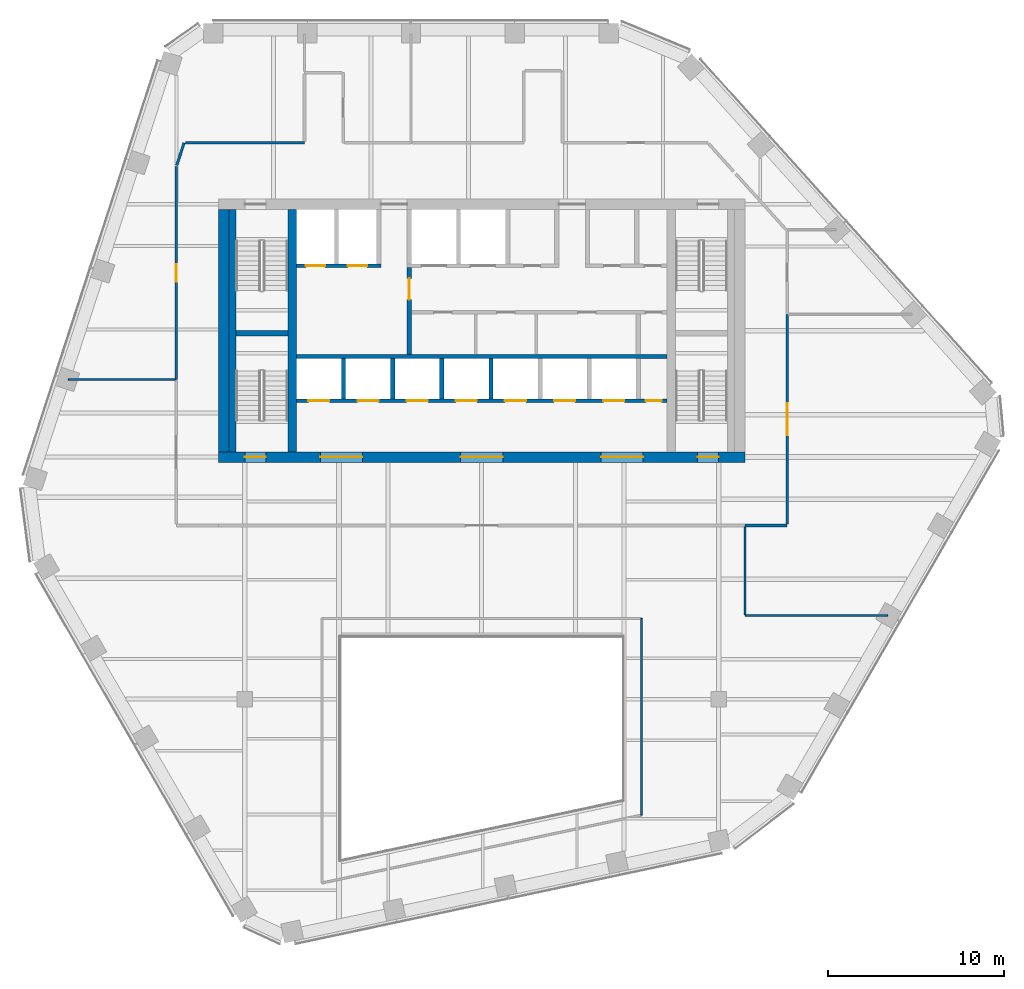
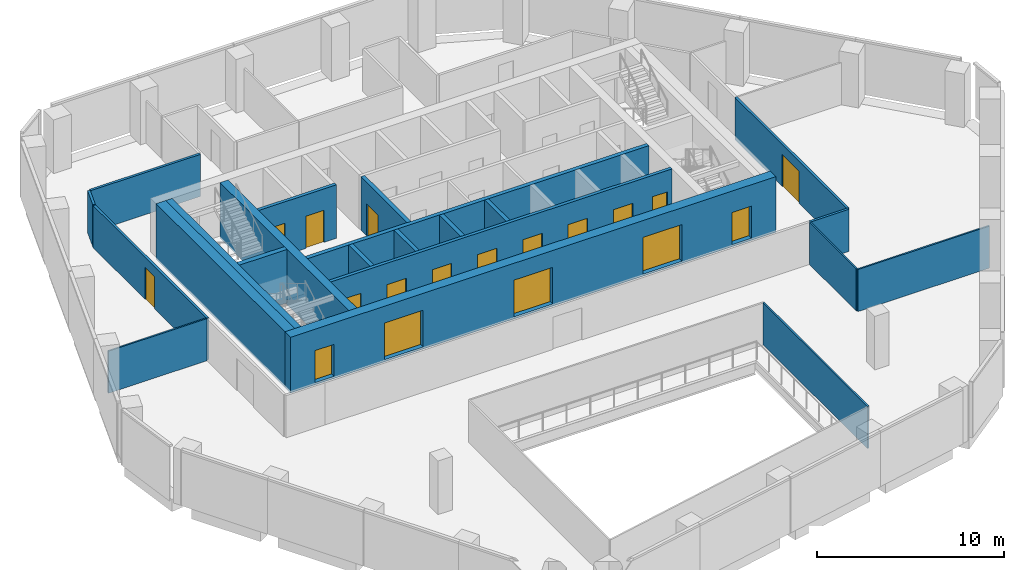
# One storey, part 9 of 15: 22 walls, 18 doors, 18 openings.
"""IFC4 building model written with IfcOpenShell, lengths in metres."""

import ifcopenshell
import ifcopenshell.guid

model = None  # the IFC model being written
_history = None  # IfcOwnerHistory: only IFC2X3 demands one
_inside = {}  # id of a spatial element -> (the spatial element, [elements in it])
_under = {}  # id of a project, library or spatial element -> (it, [spatial elements below it])
_declared = {}  # id of a project -> (the project, [libraries it declares])
_typed = {}  # id of a type object -> (the type object, [elements of that type])
_made_of = {}  # id of a material, layer set ... -> (it, [elements and type objects made of it])


def new_model(schema):
    """Start an empty IFC model of exactly this schema.

    Asked for "IFC4X3", IfcOpenShell would pick the latest addendum, in which some entities
    have other attributes; the version numbers below select the first issue.
    IFC2X3 requires an IfcOwnerHistory on every rooted entity: one is made here for all.
    """
    global model, _history
    if schema == "IFC4X3":
        model = ifcopenshell.file(schema_version=(4, 3, 0, 0))
    else:
        model = ifcopenshell.file(schema=schema)
    _inside.clear()
    _under.clear()
    _declared.clear()
    _typed.clear()
    _made_of.clear()
    _history = None
    if model.schema == "IFC2X3":
        org = make("IfcOrganization", Name="unknown")
        user = make(
            "IfcPersonAndOrganization",
            ThePerson=make("IfcPerson", FamilyName="unknown"),
            TheOrganization=org,
        )
        app = make(
            "IfcApplication",
            ApplicationDeveloper=org,
            Version="unknown",
            ApplicationFullName="unknown",
            ApplicationIdentifier="unknown",
        )
        _history = make(
            "IfcOwnerHistory",
            OwningUser=user,
            OwningApplication=app,
            ChangeAction="ADDED",
            CreationDate=0,
        )
    return model


def make(cls, **values):
    """One entity of the class cls with the attributes given. An attribute that is None is left unset."""
    return model.create_entity(
        cls, **{name: value for name, value in values.items() if value is not None}
    )


def rooted(cls, **values):
    """An entity with a GlobalId (a new one), such as an element, a storey or a relation."""
    return make(cls, GlobalId=ifcopenshell.guid.new(), OwnerHistory=_history, **values)


def si_unit(unit_type, name, prefix=None):
    """IfcSIUnit, for example si_unit("LENGTHUNIT", "METRE", prefix="MILLI")."""
    return make("IfcSIUnit", UnitType=unit_type, Prefix=prefix, Name=name)


def assignment(units):
    """IfcUnitAssignment: the units of a project."""
    return None if units is None else make("IfcUnitAssignment", Units=units)


def point(xyz):
    """IfcCartesianPoint."""
    return None if xyz is None else make("IfcCartesianPoint", Coordinates=xyz)


def direction(xyz):
    """IfcDirection."""
    return None if xyz is None else make("IfcDirection", DirectionRatios=xyz)


def frame(location, z_axis=None, x_axis=None):
    """IfcAxis2Placement3D, a coordinate frame: its origin and axes. An axis left out is left unset."""
    return make(
        "IfcAxis2Placement3D",
        Location=point(location),
        Axis=direction(z_axis),
        RefDirection=direction(x_axis),
    )


def frame_2d(location, x_axis=None):
    """IfcAxis2Placement2D, a coordinate frame in the plane: its origin and x axis."""
    return make(
        "IfcAxis2Placement2D", Location=point(location), RefDirection=direction(x_axis)
    )


def origin():
    """The frame at (0, 0, 0) with its axes left unset."""
    return frame((0.0, 0.0, 0.0))


def place(relative_to, where):
    """IfcLocalPlacement: puts the frame where relative to a parent placement (None: the world)."""
    return make(
        "IfcLocalPlacement", PlacementRelTo=relative_to, RelativePlacement=where
    )


def context(
    kind, dimensions, precision=None, world=None, true_north=None, identifier=None
):
    """IfcGeometricRepresentationContext, for example the 3D "Model" context."""
    return make(
        "IfcGeometricRepresentationContext",
        ContextIdentifier=identifier,
        ContextType=kind,
        CoordinateSpaceDimension=dimensions,
        Precision=precision,
        WorldCoordinateSystem=world,
        TrueNorth=true_north,
    )


def subcontext(parent, identifier, kind, view, scale=None):
    """IfcGeometricRepresentationSubContext, for example "Body" below "Model"."""
    return make(
        "IfcGeometricRepresentationSubContext",
        ContextIdentifier=identifier,
        ContextType=kind,
        ParentContext=parent,
        TargetScale=scale,
        TargetView=view,
    )


def project(units=None, contexts=None):
    """IfcProject with its units and contexts."""
    return rooted(
        "IfcProject",
        Name="project",
        RepresentationContexts=contexts,
        UnitsInContext=assignment(units),
    )


def spatial(cls, under=None, at=None, **own):
    """A site, building, storey or space (cls), placed at a placement, below another one or the project."""
    s = rooted(cls, ObjectPlacement=at, **own)
    if under is not None:
        _under.setdefault(under.id(), (under, []))[1].append(s)
    return s


def profile(cls, at=None, kind="AREA", **sizes):
    """A parametric profile (cls). Its sizes go by their IFC names, for example OverallWidth=200.0."""
    return make(cls, ProfileType=kind, Position=at, **sizes)


def rectangle(**sizes):
    """IfcRectangleProfileDef."""
    return profile("IfcRectangleProfileDef", **sizes)


def extrude(swept, where, along, depth):
    """IfcExtrudedAreaSolid: the profile swept, set in the frame where, extruded along a direction by depth."""
    return make(
        "IfcExtrudedAreaSolid",
        SweptArea=swept,
        Position=where,
        ExtrudedDirection=direction(along),
        Depth=depth,
    )


def shape(context_of_items, identifier, shape_type, items):
    """IfcShapeRepresentation: the items that make up one representation, for example the "Body"."""
    return make(
        "IfcShapeRepresentation",
        ContextOfItems=context_of_items,
        RepresentationIdentifier=identifier,
        RepresentationType=shape_type,
        Items=items,
    )


def material(Name=None, Category=None):
    """IfcMaterial."""
    return make("IfcMaterial", Name=Name, Category=Category)


def layer(
    of_material, thickness, ventilated=None, Name=None, Category=None, Priority=None
):
    """IfcMaterialLayer: one layer of a wall or slab, of a material (None: an air gap)."""
    return make(
        "IfcMaterialLayer",
        Material=of_material,
        LayerThickness=thickness,
        IsVentilated=ventilated,
        Name=Name,
        Category=Category,
        Priority=Priority,
    )


def layer_set(layers, Name=None):
    """IfcMaterialLayerSet."""
    return make("IfcMaterialLayerSet", MaterialLayers=layers, LayerSetName=Name)


def made_of(thing, what):
    """Note that an element or type object is made of a material, layer set ...; save() writes the relation."""
    if what is not None:
        _made_of.setdefault(what.id(), (what, []))[1].append(thing)
    return thing


def type_object(cls, material=None, **own):
    """A type object (cls), such as IfcWallType, which elements share."""
    return made_of(rooted(cls, **own), material)


def element(
    cls,
    number,
    at=None,
    inside=None,
    cuts=None,
    type_object=None,
    material=None,
    context=None,
    identifier="Body",
    shape_type=None,
    held_by="IfcProductDefinitionShape",
    body=None,
    shapes=None,
    **own,
):
    """One element of the class cls, such as IfcWall. Its Tag is "e" and its number.

    at: its placement. inside: the storey or other place that contains it. cuts: it is an
    opening in that element (IfcRelVoidsElement). A single representation is given by context,
    identifier, shape_type and body (its items); several are given by shapes. held_by: the class
    of the entity that holds the representations. save() writes the other relations.
    """
    e = rooted(cls, Tag="e%d" % number, ObjectPlacement=at, **own)
    if body is not None:
        shapes = [shape(context, identifier, shape_type, body)]
    if shapes is not None:
        e.Representation = make(held_by, Representations=shapes)
    if inside is not None:
        _inside.setdefault(inside.id(), (inside, []))[1].append(e)
    if cuts is not None:
        rooted(
            "IfcRelVoidsElement", RelatingBuildingElement=cuts, RelatedOpeningElement=e
        )
    if type_object is not None:
        _typed.setdefault(type_object.id(), (type_object, []))[1].append(e)
    return made_of(e, material)


def fill(opening, filler):
    """IfcRelFillsElement: the door or window that sits in an opening."""
    return rooted(
        "IfcRelFillsElement",
        RelatingOpeningElement=opening,
        RelatedBuildingElement=filler,
    )


def aggregate(whole, parts):
    """IfcRelAggregates: a whole, such as a stair, and the parts it consists of."""
    return rooted("IfcRelAggregates", RelatingObject=whole, RelatedObjects=parts)


def save(model, path):
    """Write the relations noted so far, then the file.

    IfcRelAggregates (storeys below a building ...), IfcRelContainedInSpatialStructure (elements
    in a storey), IfcRelDefinesByType, IfcRelAssociatesMaterial and IfcRelDeclares: one each for
    every whole, place, type object, material and project.
    """
    for whole, parts in _under.values():
        aggregate(whole, parts)
    for where, things in _inside.values():
        rooted(
            "IfcRelContainedInSpatialStructure",
            RelatedElements=things,
            RelatingStructure=where,
        )
    for kind, things in _typed.values():
        rooted("IfcRelDefinesByType", RelatedObjects=things, RelatingType=kind)
    for what, things in _made_of.values():
        rooted("IfcRelAssociatesMaterial", RelatedObjects=things, RelatingMaterial=what)
    for by, libraries in _declared.values():
        rooted("IfcRelDeclares", RelatingContext=by, RelatedDefinitions=libraries)
    model.write(path)


model = new_model("IFC4")

# Units and contexts
model_context = context("Model", 3, precision=1e-05, world=origin(), true_north=direction((0.0, 1.0)))
body_context = subcontext(model_context, "Body", "Model", "MODEL_VIEW")
ifc_project = project(units=[si_unit("LENGTHUNIT", "METRE"), si_unit("AREAUNIT", "SQUARE_METRE"), si_unit("VOLUMEUNIT", "CUBIC_METRE"), si_unit("PLANEANGLEUNIT", "RADIAN"), si_unit("MASSUNIT", "GRAM", prefix="KILO")], contexts=[model_context])

# Site, building, storey
site_placement = place(None, origin())
site = spatial("IfcSite", under=ifc_project, at=site_placement, CompositionType="ELEMENT")
building_placement = place(site_placement, origin())
building = spatial("IfcBuilding", under=site, at=building_placement, Name="Isthmus Gate Tower", CompositionType="ELEMENT")
storey_placement = place(building_placement, frame((0.0, 0.0, 245.5)))
storey = spatial("IfcBuildingStorey", under=building, at=storey_placement, Name="L62", CompositionType="ELEMENT", Elevation=245.5)

# Walls
ifc_material_1 = material(Name="Fire-rated laminated glass in steel frame", Category="steel")
ifc_layer_1 = layer(ifc_material_1, 0.10009765625)
ifc_layer_set_1 = layer_set([ifc_layer_1], Name="ATRIUM SCREEN GLAZED WALL 100 120 MIN")
wall_type_1 = type_object("IfcWallType", Name="ATRIUM SCREEN GLAZED WALL 100 120 MIN", PredefinedType="PARTITIONING", material=ifc_layer_set_1)
wall_1_placement = place(storey_placement, frame((9.10009765625, -8.89990234375, 0.0), z_axis=(0.0, 0.0, 1.0), x_axis=(0.0, -1.0, 0.0)))
element("IfcWall", 1, at=wall_1_placement, inside=storey, type_object=wall_type_1, Name="L62 atrium screen", PredefinedType="PARTITIONING", context=body_context, shape_type="SweptSolid", body=[
    extrude(rectangle(XDim=11.200927734375, YDim=0.10009765625, at=frame_2d((5.6005859375, 0.0))), origin(), (0.0, 0.0, 1.0), 2.750732421875),
])
ifc_material_2 = material(Name="Gypsum board on steel studs, fire-rated", Category="steel")
ifc_layer_2 = layer(ifc_material_2, 0.14990234375)
ifc_layer_set_2 = layer_set([ifc_layer_2], Name="CORRIDOR WALL 150 60 MIN")
wall_type_2 = type_object("IfcWallType", Name="CORRIDOR WALL 150 60 MIN", PredefinedType="PARTITIONING", material=ifc_layer_set_2)
wall_2_placement = place(storey_placement, frame((17.39990234375, -3.60009765625, 0.0), z_axis=(0.0, 0.0, 1.0), x_axis=(-1.0, 0.0, 0.0)))
element("IfcWall", 2, at=wall_2_placement, inside=storey, type_object=wall_type_2, Name="L62 Corridor Wall 150 60 Min", PredefinedType="PARTITIONING", context=body_context, shape_type="SweptSolid", body=[
    extrude(rectangle(XDim=2.39990234375, YDim=0.14990234375, at=frame_2d((1.199951171875, 0.0))), origin(), (0.0, 0.0, 1.0), 2.750732421875),
])

# Wall, opening, door
wall_3_placement = place(storey_placement, frame((17.39990234375, 8.427978515625, 0.0), z_axis=(0.0, 0.0, 1.0), x_axis=(0.0, -1.0, 0.0)))
wall_3 = element("IfcWall", 3, at=wall_3_placement, inside=storey, type_object=wall_type_2, Name="L62 Corridor Wall 150 60 Min", PredefinedType="PARTITIONING", context=body_context, shape_type="SweptSolid", body=[
    extrude(rectangle(XDim=11.952880859375, YDim=0.14990234375, at=frame_2d((5.9765625, 0.0))), origin(), (0.0, 0.0, 1.0), 2.750732421875),
])
opening_1_placement = place(wall_3_placement, frame((5.076416015625, 0.0, 0.0)))
opening_1 = element("IfcOpeningElement", 4, at=opening_1_placement, cuts=wall_3, Name="Opening DT-T5C-05", PredefinedType="OPENING", context=body_context, shape_type="SweptSolid", body=[
    extrude(rectangle(XDim=1.800048828125, YDim=2.10009765625, at=frame_2d((0.89990234375, 1.050048828125))), frame((0.0, 0.0849609375, 0.0), z_axis=(0.0, -1.0, 0.0), x_axis=(1.0, 0.0, 0.0)), (0.0, 0.0, 1.0), 0.169921875),
])
ifc_material_3 = material(Name="Solid core timber door leaf, fire-rated", Category="wood")
door_type_1 = type_object("IfcDoorType", Name="FIRE DOOR ROOM 1800 X 2100 60 MIN", OperationType="DOUBLE_DOOR_DOUBLE_SWING", PredefinedType="DOOR", material=ifc_material_3)
door_1_placement = place(opening_1_placement, origin())
door_1 = element("IfcDoor", 5, at=door_1_placement, inside=storey, type_object=door_type_1, Name="L62 room door", OperationType="DOUBLE_DOOR_DOUBLE_SWING", OverallHeight=2.10009765625, OverallWidth=1.800048828125, PredefinedType="DOOR", context=body_context, shape_type="SweptSolid", body=[
    extrude(rectangle(XDim=1.800048828125, YDim=2.10009765625, at=frame_2d((0.89990234375, 1.050048828125))), frame((0.0, 0.02490234375, 0.0), z_axis=(0.0, -1.0, 0.0), x_axis=(1.0, 0.0, 0.0)), (0.0, 0.0, 1.0), 0.050048828125),
])
fill(opening_1, door_1)

wall_4_placement = place(storey_placement, frame((-17.39990234375, 4.722900390625, 0.0), z_axis=(0.0, 0.0, 1.0), x_axis=(0.0, 1.0, 0.0)))
wall_4 = element("IfcWall", 6, at=wall_4_placement, inside=storey, type_object=wall_type_2, Name="L62 Corridor Wall 150 60 Min", PredefinedType="PARTITIONING", context=body_context, shape_type="SweptSolid", body=[
    extrude(rectangle(XDim=12.1220703125, YDim=0.14990234375, at=frame_2d((6.06103515625, 0.0))), origin(), (0.0, 0.0, 1.0), 2.750732421875),
])
opening_2_placement = place(wall_4_placement, frame((5.56103515625, 0.0, 0.0)))
opening_2 = element("IfcOpeningElement", 7, at=opening_2_placement, cuts=wall_4, Name="Opening DT-T5C-02", PredefinedType="OPENING", context=body_context, shape_type="SweptSolid", body=[
    extrude(rectangle(XDim=1.0, YDim=2.10009765625, at=frame_2d((0.5, 1.050048828125))), frame((0.0, 0.0849609375, 0.0), z_axis=(0.0, -1.0, 0.0), x_axis=(1.0, 0.0, 0.0)), (0.0, 0.0, 1.0), 0.169921875),
])
ifc_material_4 = material(Name="Solid core timber door leaf, fire-rated", Category="wood")
door_type_2 = type_object("IfcDoorType", Name="FIRE DOOR ROOM 1000 X 2100 60 MIN", OperationType="SINGLE_SWING_LEFT", PredefinedType="DOOR", material=ifc_material_4)
door_2_placement = place(opening_2_placement, origin())
door_2 = element("IfcDoor", 8, at=door_2_placement, inside=storey, type_object=door_type_2, Name="L62 room door", OperationType="SINGLE_SWING_RIGHT", OverallHeight=2.10009765625, OverallWidth=1.0, PredefinedType="DOOR", context=body_context, shape_type="SweptSolid", body=[
    extrude(rectangle(XDim=1.0, YDim=2.10009765625, at=frame_2d((0.5, 1.050048828125))), frame((0.0, 0.02490234375, 0.0), z_axis=(0.0, -1.0, 0.0), x_axis=(1.0, 0.0, 0.0)), (0.0, 0.0, 1.0), 0.050048828125),
])
fill(opening_2, door_2)

# Walls
wall_5_placement = place(storey_placement, frame((-17.376708984375, 16.916259765625, 0.0), z_axis=(0.0, 0.0, 1.0), x_axis=(0.308783376305, 0.951132391688, 0.0)))
element("IfcWall", 9, at=wall_5_placement, inside=storey, type_object=wall_type_2, Name="L62 Corridor Wall 150 60 Min", PredefinedType="PARTITIONING", context=body_context, shape_type="SweptSolid", body=[
    extrude(rectangle(XDim=1.349609375, YDim=0.14990234375, at=frame_2d((0.6748046875, 0.0))), origin(), (0.0, 0.0, 1.0), 2.750732421875),
])
wall_6_placement = place(storey_placement, frame((-16.885009765625, 18.199951171875, 0.0), z_axis=(0.0, 0.0, 1.0), x_axis=(1.0, 0.0, 0.0)))
element("IfcWall", 10, at=wall_6_placement, inside=storey, type_object=wall_type_2, Name="L62 Corridor Wall 150 60 Min", PredefinedType="PARTITIONING", context=body_context, shape_type="SweptSolid", body=[
    extrude(rectangle(XDim=6.784912109375, YDim=0.14990234375, at=frame_2d((3.392578125, 0.0))), origin(), (0.0, 0.0, 1.0), 2.750732421875),
])

# Wall, opening, door
ifc_material_5 = material(Name="Fire-rated blockwork masonry, 15 MPa", Category="masonry")
ifc_layer_3 = layer(ifc_material_5, 0.25)
ifc_layer_set_3 = layer_set([ifc_layer_3], Name="FIRE-FIGHTING LOBBY WALL 250 90 MIN")
wall_type_3 = type_object("IfcWallType", Name="FIRE-FIGHTING LOBBY WALL 250 90 MIN", PredefinedType="PARTITIONING", material=ifc_layer_set_3)
wall_7_placement = place(storey_placement, frame((-4.125, 6.14990234375, 0.0), z_axis=(0.0, 0.0, 1.0), x_axis=(0.0, 1.0, 0.0)))
wall_7 = element("IfcWall", 11, at=wall_7_placement, inside=storey, type_object=wall_type_3, Name="L62 FIRE-FIGHTING LOBBY WALL 250 90 MIN", PredefinedType="PARTITIONING", context=body_context, shape_type="SweptSolid", body=[
    extrude(rectangle(XDim=4.9501953125, YDim=0.25, at=frame_2d((2.47509765625, 0.0))), origin(), (0.0, 0.0, 1.0), 3.5),
])
opening_3_placement = place(wall_7_placement, frame((3.125, 0.0, 0.0)))
opening_3 = element("IfcOpeningElement", 12, at=opening_3_placement, cuts=wall_7, Name="Opening DC-A20-01", PredefinedType="OPENING", context=body_context, shape_type="SweptSolid", body=[
    extrude(rectangle(XDim=1.199951171875, YDim=2.10009765625, at=frame_2d((0.60009765625, 1.050048828125))), frame((0.0, 0.135009765625, 0.0), z_axis=(0.0, -1.0, 0.0), x_axis=(1.0, 0.0, 0.0)), (0.0, 0.0, 1.0), 0.27001953125),
])
ifc_material_6 = material(Name="Steel door leaf, fire-rated", Category="steel")
door_type_3 = type_object("IfcDoorType", Name="LOBBY FIRE DOOR 1200 X 2100 90 MIN", OperationType="DOUBLE_DOOR_SINGLE_SWING", PredefinedType="DOOR", material=ifc_material_6)
door_3_placement = place(opening_3_placement, origin())
door_3 = element("IfcDoor", 13, at=door_3_placement, inside=storey, type_object=door_type_3, Name="Fire-fighting Lobby Door", OperationType="SINGLE_SWING_LEFT", OverallHeight=2.10009765625, OverallWidth=1.199951171875, PredefinedType="DOOR", context=body_context, shape_type="SweptSolid", body=[
    extrude(rectangle(XDim=1.199951171875, YDim=2.10009765625, at=frame_2d((0.60009765625, 1.050048828125))), frame((0.0, 0.02490234375, 0.0), z_axis=(0.0, -1.0, 0.0), x_axis=(1.0, 0.0, 0.0)), (0.0, 0.0, 1.0), 0.050048828125),
])
fill(opening_3, door_3)

# Wall
ifc_material_7 = material(Name="Concrete f'c 50 MPa", Category="concrete")
ifc_layer_4 = layer(ifc_material_7, 0.5)
ifc_layer_set_4 = layer_set([ifc_layer_4], Name="RC CORE SPINE WALL 500 F'C 50")
wall_type_4 = type_object("IfcWallType", Name="RC CORE SPINE WALL 500 F'C 50", PredefinedType="SOLIDWALL", material=ifc_layer_set_4)
wall_8_placement = place(storey_placement, frame((-10.800048828125, 0.60009765625, -0.14990234375), z_axis=(0.0, 0.0, 1.0), x_axis=(0.0, 1.0, 0.0)))
element("IfcWall", 14, at=wall_8_placement, inside=storey, type_object=wall_type_4, Name="str-corewall-L62-SPW", PredefinedType="SOLIDWALL", context=body_context, shape_type="SweptSolid", body=[
    extrude(rectangle(XDim=13.7998046875, YDim=0.5, at=frame_2d((6.89990234375, 0.0))), origin(), (0.0, 0.0, 1.0), 3.64990234375),
])

# Wall, openings, doors
ifc_material_8 = material(Name="Concrete f'c 50 MPa", Category="concrete")
ifc_layer_5 = layer(ifc_material_8, 0.60009765625)
ifc_layer_set_5 = layer_set([ifc_layer_5], Name="RC CORE WALL 600 F'C 50")
wall_type_5 = type_object("IfcWallType", Name="RC CORE WALL 600 F'C 50", PredefinedType="SOLIDWALL", material=ifc_layer_set_5)
wall_9_placement = place(storey_placement, frame((-15.0, 0.300048828125, -0.14990234375), z_axis=(0.0, 0.0, 1.0), x_axis=(1.0, 0.0, 0.0)))
wall_9 = element("IfcWall", 15, at=wall_9_placement, inside=storey, type_object=wall_type_5, Name="str-corewall-L62-S", PredefinedType="SOLIDWALL", context=body_context, shape_type="SweptSolid", body=[
    extrude(rectangle(XDim=30.0, YDim=0.60009765625, at=frame_2d((15.0, 0.0))), origin(), (0.0, 0.0, 1.0), 3.64990234375),
])
opening_4_placement = place(wall_9_placement, frame((5.800048828125, 0.0, 0.14990234375)))
opening_4 = element("IfcOpeningElement", 16, at=opening_4_placement, cuts=wall_9, Name="Opening DC-A20-10", PredefinedType="OPENING", context=body_context, shape_type="SweptSolid", body=[
    extrude(rectangle(XDim=2.39990234375, YDim=2.39990234375, at=frame_2d((1.199951171875, 1.199951171875))), frame((0.0, 0.31005859375, 0.0), z_axis=(0.0, -1.0, 0.0), x_axis=(1.0, 0.0, 0.0)), (0.0, 0.0, 1.0), 0.6201171875),
])
opening_5_placement = place(wall_9_placement, frame((13.800048828125, 0.0, 0.14990234375)))
opening_5 = element("IfcOpeningElement", 17, at=opening_5_placement, cuts=wall_9, Name="Opening DC-A20-11", PredefinedType="OPENING", context=body_context, shape_type="SweptSolid", body=[
    extrude(rectangle(XDim=2.39990234375, YDim=2.39990234375, at=frame_2d((1.199951171875, 1.199951171875))), frame((0.0, 0.31005859375, 0.0), z_axis=(0.0, -1.0, 0.0), x_axis=(1.0, 0.0, 0.0)), (0.0, 0.0, 1.0), 0.6201171875),
])
opening_6_placement = place(wall_9_placement, frame((21.800048828125, 0.0, 0.14990234375)))
opening_6 = element("IfcOpeningElement", 18, at=opening_6_placement, cuts=wall_9, Name="Opening DC-A20-12", PredefinedType="OPENING", context=body_context, shape_type="SweptSolid", body=[
    extrude(rectangle(XDim=2.39990234375, YDim=2.39990234375, at=frame_2d((1.199951171875, 1.199951171875))), frame((0.0, 0.31005859375, 0.0), z_axis=(0.0, -1.0, 0.0), x_axis=(1.0, 0.0, 0.0)), (0.0, 0.0, 1.0), 0.6201171875),
])
opening_7_placement = place(wall_9_placement, frame((1.5, 0.0, 0.14990234375)))
opening_7 = element("IfcOpeningElement", 19, at=opening_7_placement, cuts=wall_9, Name="Opening DC-A20-17", PredefinedType="OPENING", context=body_context, shape_type="SweptSolid", body=[
    extrude(rectangle(XDim=1.199951171875, YDim=2.10009765625, at=frame_2d((0.60009765625, 1.050048828125))), frame((0.0, 0.31005859375, 0.0), z_axis=(0.0, -1.0, 0.0), x_axis=(1.0, 0.0, 0.0)), (0.0, 0.0, 1.0), 0.6201171875),
])
opening_8_placement = place(wall_9_placement, frame((27.300048828125, 0.0, 0.14990234375)))
opening_8 = element("IfcOpeningElement", 20, at=opening_8_placement, cuts=wall_9, Name="Opening DC-A20-18", PredefinedType="OPENING", context=body_context, shape_type="SweptSolid", body=[
    extrude(rectangle(XDim=1.199951171875, YDim=2.10009765625, at=frame_2d((0.60009765625, 1.050048828125))), frame((0.0, 0.31005859375, 0.0), z_axis=(0.0, -1.0, 0.0), x_axis=(1.0, 0.0, 0.0)), (0.0, 0.0, 1.0), 0.6201171875),
])
ifc_material_9 = material(Name="Laminated safety glass in steel frame, fire-rated", Category="steel")
door_type_4 = type_object("IfcDoorType", Name="LOBBY ENTRANCE FIRE DOOR 2400 X 2400 60 MIN", OperationType="DOUBLE_DOOR_DOUBLE_SWING", PredefinedType="DOOR", material=ifc_material_9)
door_4_placement = place(opening_4_placement, origin())
door_4 = element("IfcDoor", 21, at=door_4_placement, inside=storey, type_object=door_type_4, Name="Lobby Entrance PS-W", OperationType="DOUBLE_DOOR_DOUBLE_SWING", OverallHeight=2.39990234375, OverallWidth=2.39990234375, PredefinedType="DOOR", context=body_context, shape_type="SweptSolid", body=[
    extrude(rectangle(XDim=2.39990234375, YDim=2.39990234375, at=frame_2d((1.199951171875, 1.199951171875))), frame((0.0, 0.02490234375, 0.0), z_axis=(0.0, -1.0, 0.0), x_axis=(1.0, 0.0, 0.0)), (0.0, 0.0, 1.0), 0.050048828125),
])
fill(opening_4, door_4)
door_5_placement = place(opening_5_placement, origin())
door_5 = element("IfcDoor", 22, at=door_5_placement, inside=storey, type_object=door_type_4, Name="Lobby Entrance PS-C", OperationType="DOUBLE_DOOR_DOUBLE_SWING", OverallHeight=2.39990234375, OverallWidth=2.39990234375, PredefinedType="DOOR", context=body_context, shape_type="SweptSolid", body=[
    extrude(rectangle(XDim=2.39990234375, YDim=2.39990234375, at=frame_2d((1.199951171875, 1.199951171875))), frame((0.0, 0.02490234375, 0.0), z_axis=(0.0, -1.0, 0.0), x_axis=(1.0, 0.0, 0.0)), (0.0, 0.0, 1.0), 0.050048828125),
])
fill(opening_5, door_5)
door_6_placement = place(opening_6_placement, origin())
door_6 = element("IfcDoor", 23, at=door_6_placement, inside=storey, type_object=door_type_4, Name="Lobby Entrance PS-E", OperationType="DOUBLE_DOOR_DOUBLE_SWING", OverallHeight=2.39990234375, OverallWidth=2.39990234375, PredefinedType="DOOR", context=body_context, shape_type="SweptSolid", body=[
    extrude(rectangle(XDim=2.39990234375, YDim=2.39990234375, at=frame_2d((1.199951171875, 1.199951171875))), frame((0.0, 0.02490234375, 0.0), z_axis=(0.0, -1.0, 0.0), x_axis=(1.0, 0.0, 0.0)), (0.0, 0.0, 1.0), 0.050048828125),
])
fill(opening_6, door_6)
ifc_material_10 = material(Name="Steel door leaf, fire-rated", Category="steel")
door_type_5 = type_object("IfcDoorType", Name="STAIR FIRE DOOR 1200 X 2100 90 MIN", OperationType="SINGLE_SWING_LEFT", PredefinedType="DOOR", material=ifc_material_10)
door_7_placement = place(opening_7_placement, origin())
door_7 = element("IfcDoor", 24, at=door_7_placement, inside=storey, type_object=door_type_5, Name="Exit Stair 7 Door", OperationType="SINGLE_SWING_LEFT", OverallHeight=2.10009765625, OverallWidth=1.199951171875, PredefinedType="DOOR", context=body_context, shape_type="SweptSolid", body=[
    extrude(rectangle(XDim=1.199951171875, YDim=2.10009765625, at=frame_2d((0.60009765625, 1.050048828125))), frame((0.0, 0.02490234375, 0.0), z_axis=(0.0, -1.0, 0.0), x_axis=(1.0, 0.0, 0.0)), (0.0, 0.0, 1.0), 0.050048828125),
])
fill(opening_7, door_7)
door_8_placement = place(opening_8_placement, origin())
door_8 = element("IfcDoor", 25, at=door_8_placement, inside=storey, type_object=door_type_5, Name="Exit Stair 8 Door", OperationType="SINGLE_SWING_RIGHT", OverallHeight=2.10009765625, OverallWidth=1.199951171875, PredefinedType="DOOR", context=body_context, shape_type="SweptSolid", body=[
    extrude(rectangle(XDim=1.199951171875, YDim=2.10009765625, at=frame_2d((0.60009765625, 1.050048828125))), frame((0.0, 0.02490234375, 0.0), z_axis=(0.0, -1.0, 0.0), x_axis=(1.0, 0.0, 0.0)), (0.0, 0.0, 1.0), 0.050048828125),
])
fill(opening_8, door_8)

# Walls
wall_10_placement = place(storey_placement, frame((-14.699951171875, 0.60009765625, -0.14990234375), z_axis=(0.0, 0.0, 1.0), x_axis=(0.0, 1.0, 0.0)))
element("IfcWall", 26, at=wall_10_placement, inside=storey, type_object=wall_type_5, Name="str-corewall-L62-W", PredefinedType="SOLIDWALL", context=body_context, shape_type="SweptSolid", body=[
    extrude(rectangle(XDim=13.7998046875, YDim=0.60009765625, at=frame_2d((6.89990234375, 0.0))), origin(), (0.0, 0.0, 1.0), 3.64990234375),
])
ifc_material_11 = material(Name="Gypsum board on steel studs, fire-rated", Category="steel")
ifc_layer_6 = layer(ifc_material_11, 0.10009765625)
ifc_layer_set_6 = layer_set([ifc_layer_6], Name="ROOM PARTITION 100 30 MIN")
wall_type_6 = type_object("IfcWallType", Name="ROOM PARTITION 100 30 MIN", PredefinedType="PARTITIONING", material=ifc_layer_set_6)
wall_11_placement = place(storey_placement, frame((-23.547119140625, 4.722900390625, 0.0), z_axis=(0.0, 0.0, 1.0), x_axis=(1.0, 0.0, 0.0)))
element("IfcWall", 27, at=wall_11_placement, inside=storey, type_object=wall_type_6, Name="L62 Room Partition 100 30 Min", PredefinedType="PARTITIONING", context=body_context, shape_type="SweptSolid", body=[
    extrude(rectangle(XDim=6.072021484375, YDim=0.10009765625, at=frame_2d((3.0361328125, 0.0))), origin(), (0.0, 0.0, 1.0), 2.750732421875),
])
wall_12_placement = place(storey_placement, frame((15.0, -8.735107421875, 0.0), z_axis=(0.0, 0.0, 1.0), x_axis=(1.0, 0.0, 0.0)))
element("IfcWall", 28, at=wall_12_placement, inside=storey, type_object=wall_type_6, Name="L62 Room Partition 100 30 Min", PredefinedType="PARTITIONING", context=body_context, shape_type="SweptSolid", body=[
    extrude(rectangle(XDim=8.132080078125, YDim=0.10009765625, at=frame_2d((4.06591796875, 0.0))), origin(), (0.0, 0.0, 1.0), 2.750732421875),
])
wall_13_placement = place(storey_placement, frame((15.0, -8.68505859375, 0.0), z_axis=(0.0, 0.0, 1.0), x_axis=(0.0, 1.0, 0.0)))
element("IfcWall", 29, at=wall_13_placement, inside=storey, type_object=wall_type_6, Name="L62 Room Partition 100 30 Min", PredefinedType="PARTITIONING", context=body_context, shape_type="SweptSolid", body=[
    extrude(rectangle(XDim=5.010009765625, YDim=0.10009765625, at=frame_2d((2.5048828125, 0.0))), origin(), (0.0, 0.0, 1.0), 2.750732421875),
])

# Wall, openings, doors
ifc_material_12 = material(Name="Fire-rated blockwork masonry, 15 MPa", Category="masonry")
ifc_layer_7 = layer(ifc_material_12, 0.199951171875)
ifc_layer_set_7 = layer_set([ifc_layer_7], Name="SHAFT FRONT WALL 200 120 MIN")
wall_type_7 = type_object("IfcWallType", Name="SHAFT FRONT WALL 200 120 MIN", PredefinedType="PARTITIONING", material=ifc_layer_set_7)
wall_14_placement = place(storey_placement, frame((-10.550048828125, 3.5, 0.0), z_axis=(0.0, 0.0, 1.0), x_axis=(1.0, 0.0, 0.0)))
wall_14 = element("IfcWall", 30, at=wall_14_placement, inside=storey, type_object=wall_type_7, Name="L62 SHAFT FRONT WALL 200 120 MIN", PredefinedType="PARTITIONING", context=body_context, shape_type="SweptSolid", body=[
    extrude(rectangle(XDim=21.10009765625, YDim=0.199951171875, at=frame_2d((10.550048828125, 0.0))), origin(), (0.0, 0.0, 1.0), 3.5),
])
opening_9_placement = place(wall_14_placement, frame((0.675048828125, 0.0, 0.0)))
opening_9 = element("IfcOpeningElement", 31, at=opening_9_placement, cuts=wall_14, Name="Opening LD-LC1", PredefinedType="OPENING", context=body_context, shape_type="SweptSolid", body=[
    extrude(rectangle(XDim=1.199951171875, YDim=2.10009765625, at=frame_2d((0.60009765625, 1.050048828125))), frame((0.0, 0.10986328125, 0.0), z_axis=(0.0, -1.0, 0.0), x_axis=(1.0, 0.0, 0.0)), (0.0, 0.0, 1.0), 0.219970703125),
])
opening_10_placement = place(wall_14_placement, frame((3.47509765625, 0.0, 0.0)))
opening_10 = element("IfcOpeningElement", 32, at=opening_10_placement, cuts=wall_14, Name="Opening LD-LC2", PredefinedType="OPENING", context=body_context, shape_type="SweptSolid", body=[
    extrude(rectangle(XDim=1.199951171875, YDim=2.10009765625, at=frame_2d((0.60009765625, 1.050048828125))), frame((0.0, 0.10986328125, 0.0), z_axis=(0.0, -1.0, 0.0), x_axis=(1.0, 0.0, 0.0)), (0.0, 0.0, 1.0), 0.219970703125),
])
opening_11_placement = place(wall_14_placement, frame((6.27490234375, 0.0, 0.0)))
opening_11 = element("IfcOpeningElement", 33, at=opening_11_placement, cuts=wall_14, Name="Opening LD-LC3", PredefinedType="OPENING", context=body_context, shape_type="SweptSolid", body=[
    extrude(rectangle(XDim=1.199951171875, YDim=2.10009765625, at=frame_2d((0.60009765625, 1.050048828125))), frame((0.0, 0.10986328125, 0.0), z_axis=(0.0, -1.0, 0.0), x_axis=(1.0, 0.0, 0.0)), (0.0, 0.0, 1.0), 0.219970703125),
])
opening_12_placement = place(wall_14_placement, frame((9.074951171875, 0.0, 0.0)))
opening_12 = element("IfcOpeningElement", 34, at=opening_12_placement, cuts=wall_14, Name="Opening LD-LC4", PredefinedType="OPENING", context=body_context, shape_type="SweptSolid", body=[
    extrude(rectangle(XDim=1.199951171875, YDim=2.10009765625, at=frame_2d((0.60009765625, 1.050048828125))), frame((0.0, 0.10986328125, 0.0), z_axis=(0.0, -1.0, 0.0), x_axis=(1.0, 0.0, 0.0)), (0.0, 0.0, 1.0), 0.219970703125),
])
opening_13_placement = place(wall_14_placement, frame((11.875, 0.0, 0.0)))
opening_13 = element("IfcOpeningElement", 35, at=opening_13_placement, cuts=wall_14, Name="Opening LD-LC5", PredefinedType="OPENING", context=body_context, shape_type="SweptSolid", body=[
    extrude(rectangle(XDim=1.199951171875, YDim=2.10009765625, at=frame_2d((0.60009765625, 1.050048828125))), frame((0.0, 0.10986328125, 0.0), z_axis=(0.0, -1.0, 0.0), x_axis=(1.0, 0.0, 0.0)), (0.0, 0.0, 1.0), 0.219970703125),
])
opening_14_placement = place(wall_14_placement, frame((14.675048828125, 0.0, 0.0)))
opening_14 = element("IfcOpeningElement", 36, at=opening_14_placement, cuts=wall_14, Name="Opening LD-LC6", PredefinedType="OPENING", context=body_context, shape_type="SweptSolid", body=[
    extrude(rectangle(XDim=1.199951171875, YDim=2.10009765625, at=frame_2d((0.60009765625, 1.050048828125))), frame((0.0, 0.10986328125, 0.0), z_axis=(0.0, -1.0, 0.0), x_axis=(1.0, 0.0, 0.0)), (0.0, 0.0, 1.0), 0.219970703125),
])
opening_15_placement = place(wall_14_placement, frame((17.47509765625, 0.0, 0.0)))
opening_15 = element("IfcOpeningElement", 37, at=opening_15_placement, cuts=wall_14, Name="Opening LD-LC7", PredefinedType="OPENING", context=body_context, shape_type="SweptSolid", body=[
    extrude(rectangle(XDim=1.199951171875, YDim=2.10009765625, at=frame_2d((0.60009765625, 1.050048828125))), frame((0.0, 0.10986328125, 0.0), z_axis=(0.0, -1.0, 0.0), x_axis=(1.0, 0.0, 0.0)), (0.0, 0.0, 1.0), 0.219970703125),
])
opening_16_placement = place(wall_14_placement, frame((19.89990234375, 0.0, 0.0)))
opening_16 = element("IfcOpeningElement", 38, at=opening_16_placement, cuts=wall_14, Name="Opening DC-A20-02", PredefinedType="OPENING", context=body_context, shape_type="SweptSolid", body=[
    extrude(rectangle(XDim=0.89990234375, YDim=2.10009765625, at=frame_2d((0.449951171875, 1.050048828125))), frame((0.0, 0.10986328125, 0.0), z_axis=(0.0, -1.0, 0.0), x_axis=(1.0, 0.0, 0.0)), (0.0, 0.0, 1.0), 0.219970703125),
])
ifc_material_13 = material(Name="Stainless steel sliding leaf", Category="steel")
door_type_6 = type_object("IfcDoorType", Name="LIFT LANDING FIRE DOOR 1200 X 2100 90 MIN", OperationType="DOUBLE_DOOR_SLIDING", PredefinedType="DOOR", material=ifc_material_13)
door_9_placement = place(opening_9_placement, origin())
door_9 = element("IfcDoor", 39, at=door_9_placement, inside=storey, type_object=door_type_6, Name="Lift Landing Door LC1", OperationType="DOUBLE_DOOR_SLIDING", OverallHeight=2.10009765625, OverallWidth=1.199951171875, PredefinedType="DOOR", context=body_context, shape_type="SweptSolid", body=[
    extrude(rectangle(XDim=1.199951171875, YDim=2.10009765625, at=frame_2d((0.60009765625, 1.050048828125))), frame((0.0, 0.02490234375, 0.0), z_axis=(0.0, -1.0, 0.0), x_axis=(1.0, 0.0, 0.0)), (0.0, 0.0, 1.0), 0.050048828125),
])
fill(opening_9, door_9)
door_10_placement = place(opening_10_placement, origin())
door_10 = element("IfcDoor", 40, at=door_10_placement, inside=storey, type_object=door_type_6, Name="Lift Landing Door LC2", OperationType="DOUBLE_DOOR_SLIDING", OverallHeight=2.10009765625, OverallWidth=1.199951171875, PredefinedType="DOOR", context=body_context, shape_type="SweptSolid", body=[
    extrude(rectangle(XDim=1.199951171875, YDim=2.10009765625, at=frame_2d((0.60009765625, 1.050048828125))), frame((0.0, 0.02490234375, 0.0), z_axis=(0.0, -1.0, 0.0), x_axis=(1.0, 0.0, 0.0)), (0.0, 0.0, 1.0), 0.050048828125),
])
fill(opening_10, door_10)
door_11_placement = place(opening_11_placement, origin())
door_11 = element("IfcDoor", 41, at=door_11_placement, inside=storey, type_object=door_type_6, Name="Lift Landing Door LC3", OperationType="DOUBLE_DOOR_SLIDING", OverallHeight=2.10009765625, OverallWidth=1.199951171875, PredefinedType="DOOR", context=body_context, shape_type="SweptSolid", body=[
    extrude(rectangle(XDim=1.199951171875, YDim=2.10009765625, at=frame_2d((0.60009765625, 1.050048828125))), frame((0.0, 0.02490234375, 0.0), z_axis=(0.0, -1.0, 0.0), x_axis=(1.0, 0.0, 0.0)), (0.0, 0.0, 1.0), 0.050048828125),
])
fill(opening_11, door_11)
door_12_placement = place(opening_12_placement, origin())
door_12 = element("IfcDoor", 42, at=door_12_placement, inside=storey, type_object=door_type_6, Name="Lift Landing Door LC4", OperationType="DOUBLE_DOOR_SLIDING", OverallHeight=2.10009765625, OverallWidth=1.199951171875, PredefinedType="DOOR", context=body_context, shape_type="SweptSolid", body=[
    extrude(rectangle(XDim=1.199951171875, YDim=2.10009765625, at=frame_2d((0.60009765625, 1.050048828125))), frame((0.0, 0.02490234375, 0.0), z_axis=(0.0, -1.0, 0.0), x_axis=(1.0, 0.0, 0.0)), (0.0, 0.0, 1.0), 0.050048828125),
])
fill(opening_12, door_12)
door_13_placement = place(opening_13_placement, origin())
door_13 = element("IfcDoor", 43, at=door_13_placement, inside=storey, type_object=door_type_6, Name="Lift Landing Door LC5", OperationType="DOUBLE_DOOR_SLIDING", OverallHeight=2.10009765625, OverallWidth=1.199951171875, PredefinedType="DOOR", context=body_context, shape_type="SweptSolid", body=[
    extrude(rectangle(XDim=1.199951171875, YDim=2.10009765625, at=frame_2d((0.60009765625, 1.050048828125))), frame((0.0, 0.02490234375, 0.0), z_axis=(0.0, -1.0, 0.0), x_axis=(1.0, 0.0, 0.0)), (0.0, 0.0, 1.0), 0.050048828125),
])
fill(opening_13, door_13)
door_14_placement = place(opening_14_placement, origin())
door_14 = element("IfcDoor", 44, at=door_14_placement, inside=storey, type_object=door_type_6, Name="Lift Landing Door LC6", OperationType="DOUBLE_DOOR_SLIDING", OverallHeight=2.10009765625, OverallWidth=1.199951171875, PredefinedType="DOOR", context=body_context, shape_type="SweptSolid", body=[
    extrude(rectangle(XDim=1.199951171875, YDim=2.10009765625, at=frame_2d((0.60009765625, 1.050048828125))), frame((0.0, 0.02490234375, 0.0), z_axis=(0.0, -1.0, 0.0), x_axis=(1.0, 0.0, 0.0)), (0.0, 0.0, 1.0), 0.050048828125),
])
fill(opening_14, door_14)
door_15_placement = place(opening_15_placement, origin())
door_15 = element("IfcDoor", 45, at=door_15_placement, inside=storey, type_object=door_type_6, Name="Lift Landing Door LC7", OperationType="DOUBLE_DOOR_SLIDING", OverallHeight=2.10009765625, OverallWidth=1.199951171875, PredefinedType="DOOR", context=body_context, shape_type="SweptSolid", body=[
    extrude(rectangle(XDim=1.199951171875, YDim=2.10009765625, at=frame_2d((0.60009765625, 1.050048828125))), frame((0.0, 0.02490234375, 0.0), z_axis=(0.0, -1.0, 0.0), x_axis=(1.0, 0.0, 0.0)), (0.0, 0.0, 1.0), 0.050048828125),
])
fill(opening_15, door_15)
ifc_material_14 = material(Name="Steel door leaf, fire-rated", Category="steel")
door_type_7 = type_object("IfcDoorType", Name="RISER FIRE DOOR 900 X 2100 90 MIN", OperationType="SINGLE_SWING_LEFT", PredefinedType="DOOR", material=ifc_material_14)
door_16_placement = place(opening_16_placement, origin())
door_16 = element("IfcDoor", 46, at=door_16_placement, inside=storey, type_object=door_type_7, Name="Riser Door", OperationType="SINGLE_SWING_RIGHT", OverallHeight=2.10009765625, OverallWidth=0.89990234375, PredefinedType="DOOR", context=body_context, shape_type="SweptSolid", body=[
    extrude(rectangle(XDim=0.89990234375, YDim=2.10009765625, at=frame_2d((0.449951171875, 1.050048828125))), frame((0.0, 0.02490234375, 0.0), z_axis=(0.0, -1.0, 0.0), x_axis=(1.0, 0.0, 0.0)), (0.0, 0.0, 1.0), 0.050048828125),
])
fill(opening_16, door_16)

wall_15_placement = place(storey_placement, frame((-10.550048828125, 11.199951171875, 0.0), z_axis=(0.0, 0.0, 1.0), x_axis=(1.0, 0.0, 0.0)))
wall_15 = element("IfcWall", 47, at=wall_15_placement, inside=storey, type_object=wall_type_7, Name="L62 SHAFT FRONT WALL 200 120 MIN", PredefinedType="PARTITIONING", context=body_context, shape_type="SweptSolid", body=[
    extrude(rectangle(XDim=4.800048828125, YDim=0.199951171875, at=frame_2d((2.39990234375, 0.0))), origin(), (0.0, 0.0, 1.0), 3.5),
])
opening_17_placement = place(wall_15_placement, frame((0.52490234375, 0.0, 0.0)))
opening_17 = element("IfcOpeningElement", 48, at=opening_17_placement, cuts=wall_15, Name="Opening LD-LF1", PredefinedType="OPENING", context=body_context, shape_type="SweptSolid", body=[
    extrude(rectangle(XDim=1.10009765625, YDim=2.10009765625, at=frame_2d((0.550048828125, 1.050048828125))), frame((0.0, 0.10986328125, 0.0), z_axis=(0.0, -1.0, 0.0), x_axis=(1.0, 0.0, 0.0)), (0.0, 0.0, 1.0), 0.219970703125),
])
opening_18_placement = place(wall_15_placement, frame((2.925048828125, 0.0, 0.0)))
opening_18 = element("IfcOpeningElement", 49, at=opening_18_placement, cuts=wall_15, Name="Opening LD-LF2", PredefinedType="OPENING", context=body_context, shape_type="SweptSolid", body=[
    extrude(rectangle(XDim=1.10009765625, YDim=2.10009765625, at=frame_2d((0.550048828125, 1.050048828125))), frame((0.0, 0.10986328125, 0.0), z_axis=(0.0, -1.0, 0.0), x_axis=(1.0, 0.0, 0.0)), (0.0, 0.0, 1.0), 0.219970703125),
])
ifc_material_15 = material(Name="Stainless steel sliding leaf", Category="steel")
door_type_8 = type_object("IfcDoorType", Name="LIFT LANDING FIRE DOOR 1100 X 2100 90 MIN", OperationType="DOUBLE_DOOR_SLIDING", PredefinedType="DOOR", material=ifc_material_15)
door_17_placement = place(opening_17_placement, origin())
door_17 = element("IfcDoor", 50, at=door_17_placement, inside=storey, type_object=door_type_8, Name="Lift Landing Door LF1", OperationType="DOUBLE_DOOR_SLIDING", OverallHeight=2.10009765625, OverallWidth=1.10009765625, PredefinedType="DOOR", context=body_context, shape_type="SweptSolid", body=[
    extrude(rectangle(XDim=1.10009765625, YDim=2.10009765625, at=frame_2d((0.550048828125, 1.050048828125))), frame((0.0, 0.02490234375, 0.0), z_axis=(0.0, -1.0, 0.0), x_axis=(1.0, 0.0, 0.0)), (0.0, 0.0, 1.0), 0.050048828125),
])
fill(opening_17, door_17)
door_18_placement = place(opening_18_placement, origin())
door_18 = element("IfcDoor", 51, at=door_18_placement, inside=storey, type_object=door_type_8, Name="Lift Landing Door LF2", OperationType="DOUBLE_DOOR_SLIDING", OverallHeight=2.10009765625, OverallWidth=1.10009765625, PredefinedType="DOOR", context=body_context, shape_type="SweptSolid", body=[
    extrude(rectangle(XDim=1.10009765625, YDim=2.10009765625, at=frame_2d((0.550048828125, 1.050048828125))), frame((0.0, 0.02490234375, 0.0), z_axis=(0.0, -1.0, 0.0), x_axis=(1.0, 0.0, 0.0)), (0.0, 0.0, 1.0), 0.050048828125),
])
fill(opening_18, door_18)

# Walls
ifc_material_16 = material(Name="Fire-rated blockwork masonry, 15 MPa", Category="masonry")
ifc_layer_8 = layer(ifc_material_16, 0.25)
ifc_layer_set_8 = layer_set([ifc_layer_8], Name="SHAFT WALL 250 120 MIN")
wall_type_8 = type_object("IfcWallType", Name="SHAFT WALL 250 120 MIN", PredefinedType="PARTITIONING", material=ifc_layer_set_8)
wall_16_placement = place(storey_placement, frame((-10.550048828125, 6.02490234375, 0.0), z_axis=(0.0, 0.0, 1.0), x_axis=(1.0, 0.0, 0.0)))
element("IfcWall", 52, at=wall_16_placement, inside=storey, type_object=wall_type_8, Name="L62 SHAFT WALL 250 120 MIN", PredefinedType="PARTITIONING", context=body_context, shape_type="SweptSolid", body=[
    extrude(rectangle(XDim=21.10009765625, YDim=0.25, at=frame_2d((10.550048828125, 0.0))), origin(), (0.0, 0.0, 1.0), 3.5),
])
for number, where, z_axis, x_axis, name in (
    (53, (-7.875, 3.60009765625, 0.0), (0.0, 0.0, 1.0), (0.0, 1.0, 0.0), "L62 SHAFT WALL 250 120 MIN"),
    (54, (-5.074951171875, 3.60009765625, 0.0), (0.0, 0.0, 1.0), (0.0, 1.0, 0.0), "L62 SHAFT WALL 250 120 MIN"),
    (55, (-2.27490234375, 3.60009765625, 0.0), (0.0, 0.0, 1.0), (0.0, 1.0, 0.0), "L62 SHAFT WALL 250 120 MIN"),
    (56, (0.52490234375, 3.60009765625, 0.0), (0.0, 0.0, 1.0), (0.0, 1.0, 0.0), "L62 SHAFT WALL 250 120 MIN"),
):
    element("IfcWall", number, at=place(storey_placement, frame(where, z_axis=z_axis, x_axis=x_axis)), inside=storey, type_object=wall_type_8, Name=name, PredefinedType="PARTITIONING", context=body_context, shape_type="SweptSolid", body=[
        extrude(rectangle(XDim=2.2998046875, YDim=0.25, at=frame_2d((1.14990234375, 0.0))), origin(), (0.0, 0.0, 1.0), 3.5),
    ])
ifc_material_17 = material(Name="Concrete f'c 40 MPa", Category="concrete")
ifc_layer_9 = layer(ifc_material_17, 0.300048828125)
ifc_layer_set_9 = layer_set([ifc_layer_9], Name="STAIR ENCLOSURE WALL 300 180 MIN")
wall_type_9 = type_object("IfcWallType", Name="STAIR ENCLOSURE WALL 300 180 MIN", PredefinedType="SOLIDWALL", material=ifc_layer_set_9)
wall_17_placement = place(storey_placement, frame((-14.0, 7.35009765625, 0.0), z_axis=(0.0, 0.0, 1.0), x_axis=(1.0, 0.0, 0.0)))
element("IfcWall", 57, at=wall_17_placement, inside=storey, type_object=wall_type_9, Name="L62 STAIR ENCLOSURE WALL 300 180 MIN", PredefinedType="SOLIDWALL", context=body_context, shape_type="SweptSolid", body=[
    extrude(rectangle(XDim=2.949951171875, YDim=0.300048828125, at=frame_2d((1.47509765625, 0.0))), origin(), (0.0, 0.0, 1.0), 3.5),
])
ifc_material_18 = material(Name="Concrete f'c 40 MPa", Category="concrete")
ifc_layer_10 = layer(ifc_material_18, 0.39990234375)
ifc_layer_set_10 = layer_set([ifc_layer_10], Name="STAIR ENCLOSURE WALL 400 180 MIN")
wall_type_10 = type_object("IfcWallType", Name="STAIR ENCLOSURE WALL 400 180 MIN", PredefinedType="SOLIDWALL", material=ifc_layer_set_10)
wall_18_placement = place(storey_placement, frame((-14.199951171875, 0.60009765625, 0.0), z_axis=(0.0, 0.0, 1.0), x_axis=(0.0, 1.0, 0.0)))
element("IfcWall", 58, at=wall_18_placement, inside=storey, type_object=wall_type_10, Name="L62 STAIR ENCLOSURE WALL 400 180 MIN", PredefinedType="SOLIDWALL", context=body_context, shape_type="SweptSolid", body=[
    extrude(rectangle(XDim=13.7998046875, YDim=0.39990234375, at=frame_2d((6.89990234375, 0.0))), origin(), (0.0, 0.0, 1.0), 3.5),
])

save(model, "model.ifc")
